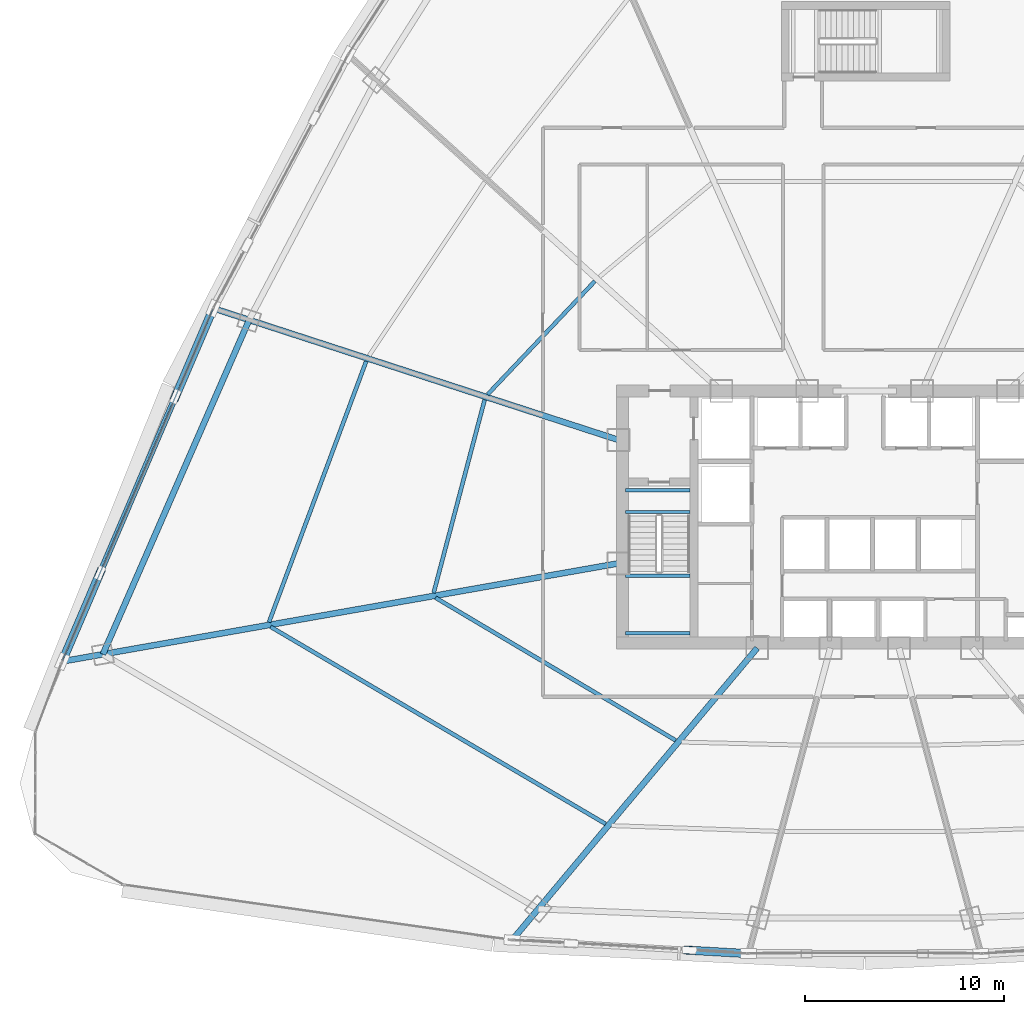
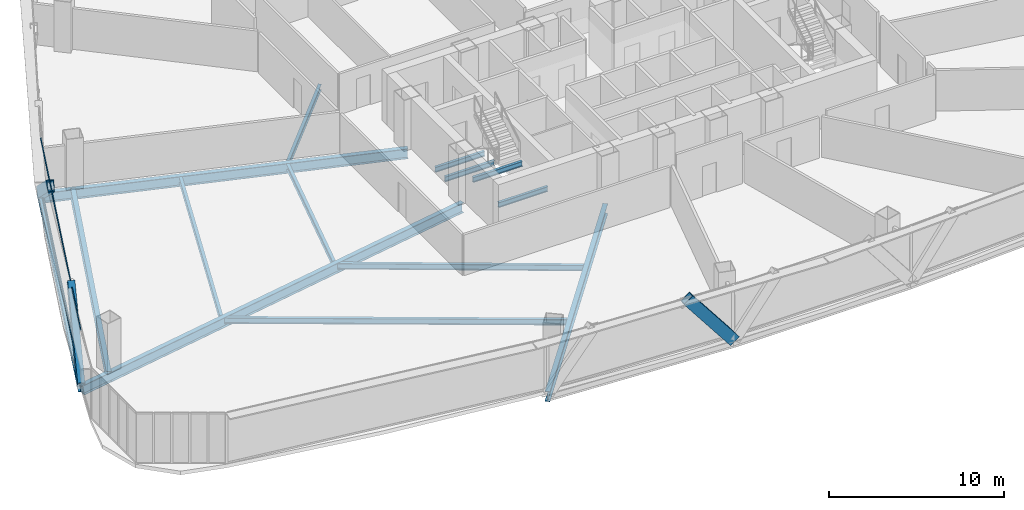
# One storey, part 7 of 39: 14 beams, 5 members, 1 element without a shape of its own.
"""IFC4 building model written with IfcOpenShell, lengths in metres."""

from ifc_helpers import new_model, si_unit, direction, frame, origin, origin_2d, place, context, subcontext, project, spatial, hollow_rectangle, i_section, extrude, source, transform, mapped, material, layer, layer_set, material_profile, profile_set, type_object, element, aggregate, save


model = new_model("IFC4")

# Units and contexts
model_context = context("Model", 3, precision=1e-05, world=origin(), true_north=direction((0.0, 1.0)))
body_context = subcontext(model_context, "Body", "Model", "MODEL_VIEW")
ifc_project = project(units=[si_unit("LENGTHUNIT", "METRE"), si_unit("AREAUNIT", "SQUARE_METRE"), si_unit("VOLUMEUNIT", "CUBIC_METRE"), si_unit("PLANEANGLEUNIT", "RADIAN"), si_unit("MASSUNIT", "GRAM", prefix="KILO"), si_unit("THERMODYNAMICTEMPERATUREUNIT", "KELVIN"), si_unit("POWERUNIT", "WATT")], contexts=[model_context])

# Site, building, storey
site_placement = place(None, origin())
site = spatial("IfcSite", under=ifc_project, at=site_placement, CompositionType="ELEMENT")
building_placement = place(site_placement, origin())
building = spatial("IfcBuilding", under=site, at=building_placement, Name="Yunzhuo Pagoda Commons", CompositionType="ELEMENT")
storey_placement = place(building_placement, frame((0.0, 0.0, 96.3798828125)))
storey = spatial("IfcBuildingStorey", under=building, at=storey_placement, Name="L24", CompositionType="ELEMENT", Elevation=96.3798828125)

# Beams
ifc_material_1 = material(Name="Structural steel Q355B", Category="steel")
ifc_material_profile_1 = material_profile(ifc_material_1, i_section(OverallWidth=0.175048828125, OverallDepth=0.35009765625, WebThickness=0.007080078125, FlangeThickness=0.010986328125, at=origin_2d()), Name="Structural steel Q355B")
ifc_profile_set_1 = profile_set([ifc_material_profile_1], Name="Structural steel Q355B")
beam_type_1 = type_object("IfcBeamType", Name="B-JS2 Joist HN 350x175x7x11", PredefinedType="JOIST", material=ifc_profile_set_1)
shared_shape_1 = source(origin(), body_context, "Body", "SweptSolid", [
    extrude(i_section(OverallWidth=0.175048828125, OverallDepth=0.35009765625, WebThickness=0.007080078125, FlangeThickness=0.010986328125, at=origin_2d()), origin(), (0.0, 0.0, 1.0), 3.25),
])
for number, where, z_axis, x_axis, name in (
    (1, (35.949951171875, 28.0, 1.525146484375), (1.0, 0.0, 0.0), (0.0, 1.0, 0.0), "L24 ST1 landing support beam 30A"),
    (2, (35.949951171875, 30.89990234375, 1.525146484375), (1.0, 0.0, 0.0), (0.0, 1.0, 0.0), "L24 ST1 landing support beam 30B"),
    (3, (35.949951171875, 34.10009765625, -0.375), (1.0, 0.0, 0.0), (0.0, 1.0, 0.0), "L24 ST1 landing support beam 128A"),
    (4, (35.949951171875, 35.199951171875, -0.375), (1.0, 0.0, 0.0), (0.0, 1.0, 0.0), "L24 ST1 landing support beam 128B"),
):
    element("IfcBeam", number, at=place(storey_placement, frame(where, z_axis=z_axis, x_axis=x_axis)), inside=storey, type_object=beam_type_1, Name=name, PredefinedType="JOIST", context=body_context, shape_type="MappedRepresentation", body=[
        mapped(shared_shape_1, transform((0.0, 0.0, 0.0), scale=1.0)),
    ])
ifc_material_profile_2 = material_profile(ifc_material_1, i_section(OverallWidth=0.300048828125, OverallDepth=0.699951171875, WebThickness=0.012939453125, FlangeThickness=0.02392578125, at=origin_2d()), Name="Structural steel Q355B")
ifc_profile_set_2 = profile_set([ifc_material_profile_2], Name="Structural steel Q355B")
beam_type_2 = type_object("IfcBeamType", Name="B-RG1 Beam HN 700x300x13x24", PredefinedType="BEAM", material=ifc_profile_set_2)
shared_shape_2 = source(origin(), body_context, "Body", "SweptSolid", [
    extrude(i_section(OverallWidth=0.300048828125, OverallDepth=0.699951171875, WebThickness=0.012939453125, FlangeThickness=0.02392578125, at=origin_2d()), origin(), (0.0, 0.0, 1.0), 18.37158203125),
])
beam_1_placement = place(storey_placement, frame((17.00927734375, 43.76953125, -0.609619140625), z_axis=(-0.400729599795, -0.916196369698, 0.0), x_axis=(0.916196369698, -0.400729599795, 0.0)))
element("IfcBeam", 5, at=beam_1_placement, inside=storey, type_object=beam_type_2, Name="L24 column-ring beam 11", PredefinedType="BEAM", context=body_context, shape_type="MappedRepresentation", body=[
    mapped(shared_shape_2, transform((0.0, 0.0, 0.0), scale=1.0)),
])
ifc_material_profile_3 = material_profile(ifc_material_1, i_section(OverallWidth=0.199951171875, OverallDepth=0.39990234375, WebThickness=0.008056640625, FlangeThickness=0.012939453125, at=origin_2d()), Name="Structural steel Q355B")
ifc_profile_set_3 = profile_set([ifc_material_profile_3], Name="Structural steel Q355B")
beam_type_3 = type_object("IfcBeamType", Name="B-JS1 Joist HN 400x200x8x13", PredefinedType="JOIST", material=ifc_profile_set_3)
shared_shape_3 = source(origin(), body_context, "Body", "SweptSolid", [
    extrude(i_section(OverallWidth=0.199951171875, OverallDepth=0.39990234375, WebThickness=0.008056640625, FlangeThickness=0.012939453125, at=origin_2d()), origin(), (0.0, 0.0, 1.0), 14.061767578125),
])
beam_2_placement = place(storey_placement, frame((26.393798828125, 29.784912109375, -0.4599609375), z_axis=(0.859683443923, -0.510827149088, 0.0), x_axis=(0.510827149088, 0.859683443923, 0.0)))
element("IfcBeam", 6, at=beam_2_placement, inside=storey, type_object=beam_type_3, Name="L24 composite ring joist 1.12", PredefinedType="JOIST", context=body_context, shape_type="MappedRepresentation", body=[
    mapped(shared_shape_3, transform((0.0, 0.0, 0.0), scale=1.0)),
])
shared_shape_4 = source(origin(), body_context, "Body", "SweptSolid", [
    extrude(i_section(OverallWidth=0.199951171875, OverallDepth=0.39990234375, WebThickness=0.008056640625, FlangeThickness=0.012939453125, at=origin_2d()), origin(), (0.0, 0.0, 1.0), 19.568603515625),
])
beam_3_placement = place(storey_placement, frame((18.089111328125, 28.321044921875, -0.4599609375), z_axis=(0.861862685393, -0.50714170754, 0.0), x_axis=(0.50714170754, 0.861862685393, 0.0)))
element("IfcBeam", 7, at=beam_3_placement, inside=storey, type_object=beam_type_3, Name="L24 composite ring joist 2.12", PredefinedType="JOIST", context=body_context, shape_type="MappedRepresentation", body=[
    mapped(shared_shape_4, transform((0.0, 0.0, 0.0), scale=1.0)),
])
shared_shape_5 = source(origin(), body_context, "Body", "SweptSolid", [
    extrude(i_section(OverallWidth=0.199951171875, OverallDepth=0.39990234375, WebThickness=0.008056640625, FlangeThickness=0.012939453125, at=origin_2d()), origin(), (0.0, 0.0, 1.0), 10.0634765625),
])
beam_4_placement = place(storey_placement, frame((28.86669921875, 39.749755859375, -0.4599609375), z_axis=(-0.255289713136, -0.966864603948, 0.0), x_axis=(0.966864603948, -0.255289713136, 0.0)))
element("IfcBeam", 8, at=beam_4_placement, inside=storey, type_object=beam_type_3, Name="L24 composite ring joist 1.11", PredefinedType="JOIST", context=body_context, shape_type="MappedRepresentation", body=[
    mapped(shared_shape_5, transform((0.0, 0.0, 0.0), scale=1.0)),
])
shared_shape_6 = source(origin(), body_context, "Body", "SweptSolid", [
    extrude(i_section(OverallWidth=0.199951171875, OverallDepth=0.39990234375, WebThickness=0.008056640625, FlangeThickness=0.012939453125, at=origin_2d()), origin(), (0.0, 0.0, 1.0), 7.85009765625),
])
beam_5_placement = place(storey_placement, frame((34.41357421875, 45.719482421875, -0.4599609375), z_axis=(-0.687513423145, -0.726171669095, 0.0), x_axis=(0.726171669095, -0.687513423145, 0.0)))
element("IfcBeam", 9, at=beam_5_placement, inside=storey, type_object=beam_type_3, Name="L24 composite ring joist 1.10", PredefinedType="JOIST", context=body_context, shape_type="MappedRepresentation", body=[
    mapped(shared_shape_6, transform((0.0, 0.0, 0.0), scale=1.0)),
])
shared_shape_7 = source(origin(), body_context, "Body", "SweptSolid", [
    extrude(i_section(OverallWidth=0.199951171875, OverallDepth=0.39990234375, WebThickness=0.008056640625, FlangeThickness=0.012939453125, at=origin_2d()), origin(), (0.0, 0.0, 1.0), 14.018798828125),
])
beam_6_placement = place(storey_placement, frame((22.902587890625, 41.6875, -0.4599609375), z_axis=(-0.349137809065, -0.937071390173, 0.0), x_axis=(0.937071390173, -0.349137809065, 0.0)))
element("IfcBeam", 10, at=beam_6_placement, inside=storey, type_object=beam_type_3, Name="L24 composite ring joist 2.11", PredefinedType="JOIST", context=body_context, shape_type="MappedRepresentation", body=[
    mapped(shared_shape_7, transform((0.0, 0.0, 0.0), scale=1.0)),
])
shared_shape_8 = source(origin(), body_context, "Body", "SweptSolid", [
    extrude(i_section(OverallWidth=0.300048828125, OverallDepth=0.699951171875, WebThickness=0.012939453125, FlangeThickness=0.02392578125, at=origin_2d()), origin(), (0.0, 0.0, 1.0), 19.038330078125),
])
beam_7_placement = place(storey_placement, frame((30.35009765625, 12.666015625, -0.609619140625), z_axis=(0.642799231831, 0.766034690832, 0.0), x_axis=(-0.766034690832, 0.642799231831, 0.0)))
element("IfcBeam", 11, at=beam_7_placement, inside=storey, type_object=beam_type_2, Name="L24 radial floor girder F1C1", PredefinedType="BEAM", context=body_context, shape_type="MappedRepresentation", body=[
    mapped(shared_shape_8, transform((0.0, 0.0, 0.0), scale=1.0)),
])
shared_shape_9 = source(origin(), body_context, "Body", "SweptSolid", [
    extrude(i_section(OverallWidth=0.300048828125, OverallDepth=0.699951171875, WebThickness=0.012939453125, FlangeThickness=0.02392578125, at=origin_2d()), origin(), (0.0, 0.0, 1.0), 28.281005859375),
])
beam_8_placement = place(storey_placement, frame((7.748779296875, 26.6025390625, -0.609619140625), z_axis=(0.984808056581, 0.173646456036, 0.0), x_axis=(-0.173646456036, 0.984808056581, 0.0)))
element("IfcBeam", 12, at=beam_8_placement, inside=storey, type_object=beam_type_2, Name="L24 radial floor girder F3C4", PredefinedType="BEAM", context=body_context, shape_type="MappedRepresentation", body=[
    mapped(shared_shape_9, transform((0.0, 0.0, 0.0), scale=1.0)),
])
shared_shape_10 = source(origin(), body_context, "Body", "SweptSolid", [
    extrude(i_section(OverallWidth=0.300048828125, OverallDepth=0.699951171875, WebThickness=0.012939453125, FlangeThickness=0.02392578125, at=origin_2d()), origin(), (0.0, 0.0, 1.0), 21.291015625),
])
beam_9_placement = place(storey_placement, frame((15.35107421875, 44.308349609375, -0.609619140625), z_axis=(0.951055975763, -0.309018657956, 0.0), x_axis=(0.309018657956, 0.951055975763, 0.0)))
element("IfcBeam", 13, at=beam_9_placement, inside=storey, type_object=beam_type_2, Name="L24 radial floor girder F3C3", PredefinedType="BEAM", context=body_context, shape_type="MappedRepresentation", body=[
    mapped(shared_shape_10, transform((0.0, 0.0, 0.0), scale=1.0)),
])
ifc_material_profile_4 = material_profile(ifc_material_1, i_section(OverallWidth=0.300048828125, OverallDepth=0.488037109375, WebThickness=0.010986328125, FlangeThickness=0.01806640625, at=origin_2d()), Name="Structural steel Q355B")
ifc_profile_set_4 = profile_set([ifc_material_profile_4], Name="Structural steel Q355B")
beam_type_4 = type_object("IfcBeamType", Name="B-SP1 Beam HM 488x300x11x18", PredefinedType="BEAM", material=ifc_profile_set_4)
shared_shape_11 = source(origin(), body_context, "Body", "SweptSolid", [
    extrude(i_section(OverallWidth=0.300048828125, OverallDepth=0.488037109375, WebThickness=0.010986328125, FlangeThickness=0.01806640625, at=origin_2d()), origin(), (0.0, 0.0, 1.0), 19.339599609375),
])
beam_10_placement = place(storey_placement, frame((15.20361328125, 44.356201171875, -0.50390625), z_axis=(-0.393360074903, -0.919384495993, 0.0), x_axis=(0.919384495993, -0.393360074903, 0.0)))
element("IfcBeam", 14, at=beam_10_placement, inside=storey, type_object=beam_type_4, Name="L24 facade edge spandrel beam F3.3", PredefinedType="BEAM", context=body_context, shape_type="MappedRepresentation", body=[
    mapped(shared_shape_11, transform((0.0, 0.0, 0.0), scale=1.0)),
])

# Members
ifc_material_2 = material(Name="Structural steel Q420B", Category="steel")
ifc_material_profile_5 = material_profile(ifc_material_2, hollow_rectangle(XDim=0.419921875, YDim=0.719970703125, WallThickness=0.028076171875, at=origin_2d()), Name="Structural steel Q420B")
ifc_profile_set_5 = profile_set([ifc_material_profile_5], Name="Structural steel Q420B")
member_type_1 = type_object("IfcMemberType", Name="M-DL1 Brace BOX 720x420x28", PredefinedType="BRACE", material=ifc_profile_set_5)
shared_shape_12 = source(origin(), body_context, "Body", "SweptSolid", [
    extrude(hollow_rectangle(XDim=0.419921875, YDim=0.719970703125, WallThickness=0.028076171875, at=origin_2d()), origin(), (0.0, 0.0, 1.0), 4.82861328125),
])
member_1_placement = place(storey_placement, frame((42.149169921875, 11.8642578125, -0.259765625), z_axis=(-0.616000923655, 0.035343071956, 0.786952177277), x_axis=(-0.057280827034, -0.998358105518, 0.0)))
element("IfcMember", 15, at=member_1_placement, inside=storey, type_object=member_type_1, Name="L24 facade diamond brace F1.1R", PredefinedType="BRACE", context=body_context, shape_type="MappedRepresentation", body=[
    mapped(shared_shape_12, transform((0.0, 0.0, 0.0), scale=1.0)),
])
shared_shape_13 = source(origin(), body_context, "Body", "SweptSolid", [
    extrude(hollow_rectangle(XDim=0.419921875, YDim=0.719970703125, WallThickness=0.028076171875, at=origin_2d()), origin(), (0.0, 0.0, 1.0), 6.1494140625),
])
for number, where, z_axis, x_axis, name in (
    (16, (15.20361328125, 44.356201171875, -0.259765625), (-0.309278717874, -0.722854636242, 0.617922203464), (0.919382542639, -0.393364640367, 0.0), "L24 facade diamond brace F3.3L"),
    (17, (7.59619140625, 26.57568359375, -0.259765625), (0.309278717874, 0.722854636242, 0.617922203464), (-0.919382542639, 0.393364640367, 0.0), "L24 facade diamond brace F3.3R"),
):
    element("IfcMember", number, at=place(storey_placement, frame(where, z_axis=z_axis, x_axis=x_axis)), inside=storey, type_object=member_type_1, Name=name, PredefinedType="BRACE", context=body_context, shape_type="MappedRepresentation", body=[
        mapped(shared_shape_13, transform((0.0, 0.0, 0.0), scale=1.0)),
    ])

# Curtain wall, members
ifc_material_3 = material(Name="Anodized aluminium 6063-T6", Category="aluminium")
ifc_layer = layer(ifc_material_3, 0.1650390625)
ifc_layer_set = layer_set([ifc_layer], Name="Anodized aluminium 6063-T6")
curtain_wall_type = type_object("IfcCurtainWallType", Name="CW-LOW Low-Zone Ribbon Curtain Wall", PredefinedType="NOTDEFINED", material=ifc_layer_set)
curtain_wall_placement = place(storey_placement, origin())
curtain_wall = element("IfcCurtainWall", 18, at=curtain_wall_placement, inside=storey, type_object=curtain_wall_type, Name="L24 curtain wall CW-L24-F3B4", PredefinedType="NOTDEFINED")
ifc_material_profile_6 = material_profile(ifc_material_3, hollow_rectangle(XDim=0.06005859375, YDim=0.139892578125, WallThickness=0.00341796875, at=origin_2d()), Name="Anodized aluminium 6063-T6")
ifc_profile_set_6 = profile_set([ifc_material_profile_6], Name="Anodized aluminium 6063-T6")
member_type_2 = type_object("IfcMemberType", Name="CW-LOW-T Transom RHS 140x60x3.5", PredefinedType="USERDEFINED", material=ifc_profile_set_6)
shared_shape_14 = source(origin(), body_context, "Body", "SweptSolid", [
    extrude(hollow_rectangle(XDim=0.06005859375, YDim=0.139892578125, WallThickness=0.00341796875, at=origin_2d()), origin(), (0.0, 0.0, 1.0), 19.209716796875),
])
member_2_placement = place(storey_placement, frame((15.17822265625, 44.29638671875, 0.030029296875), z_axis=(-0.393377770888, -0.919376924537, 0.0), x_axis=(0.919376924537, -0.393377770888, 0.0)))
member_2 = element("IfcMember", 19, at=member_2_placement, type_object=member_type_2, Name="CW transom 1.1", ObjectType="TRANSOM", PredefinedType="USERDEFINED", context=body_context, shape_type="MappedRepresentation", body=[
    mapped(shared_shape_14, transform((0.0, 0.0, 0.0), scale=1.0)),
])
member_3_placement = place(storey_placement, frame((15.17822265625, 44.29638671875, 3.510009765625), z_axis=(-0.393377770888, -0.919376924537, 0.0), x_axis=(0.919376924537, -0.393377770888, 0.0)))
member_3 = element("IfcMember", 20, at=member_3_placement, type_object=member_type_2, Name="CW transom 1.2", ObjectType="TRANSOM", PredefinedType="USERDEFINED", context=body_context, shape_type="MappedRepresentation", body=[
    mapped(shared_shape_14, transform((0.0, 0.0, 0.0), scale=1.0)),
])
aggregate(curtain_wall, [member_2, member_3])

save(model, "model.ifc")
